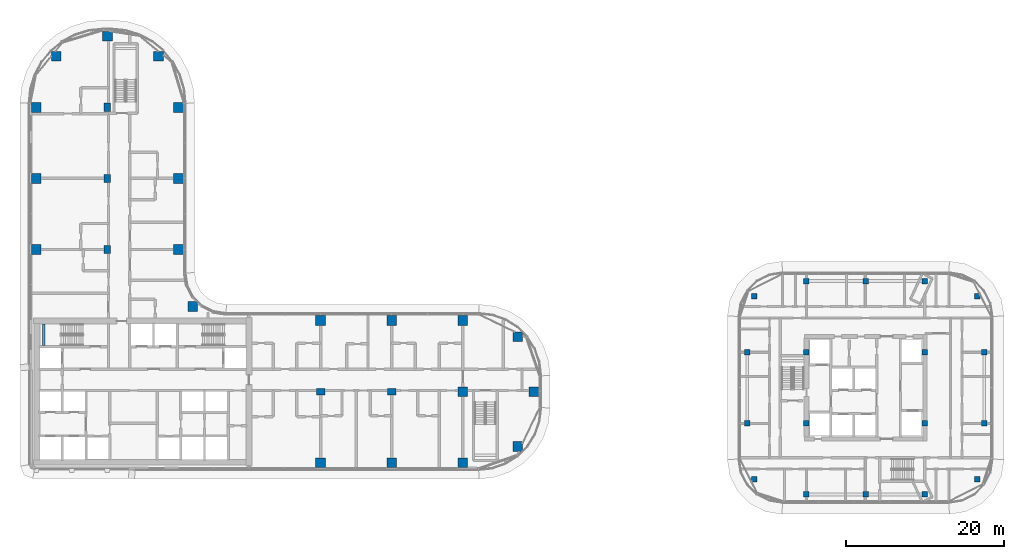
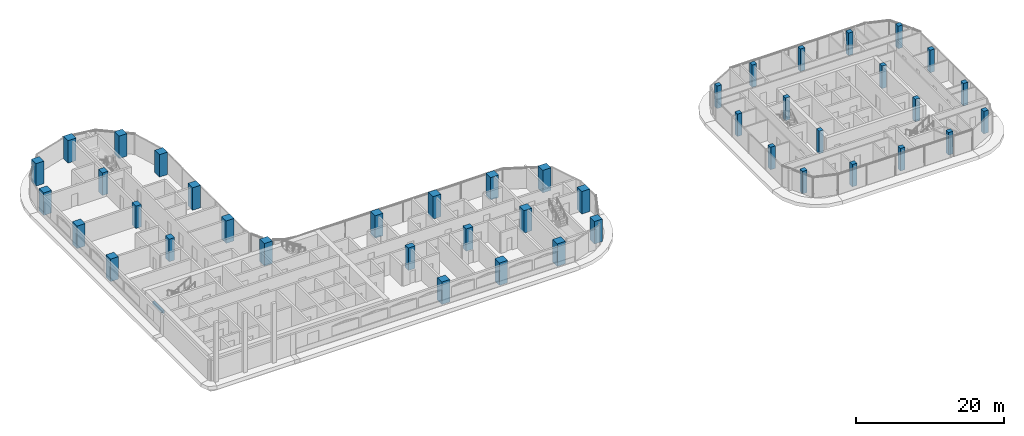
# One storey, part 1 of 40: 43 columns, 1 beam.
"""IFC4 building model written with IfcOpenShell, lengths in metres."""

from ifc_helpers import new_model, si_unit, direction, frame, origin, origin_2d, place, context, subcontext, project, spatial, rectangle, extrude, material, material_profile, profile_set, type_object, element, save


model = new_model("IFC4")

# Units and contexts
model_context = context("Model", 3, precision=1e-05, world=origin(), true_north=direction((0.0, 1.0)))
body_context = subcontext(model_context, "Body", "Model", "MODEL_VIEW")
ifc_project = project(units=[si_unit("LENGTHUNIT", "METRE"), si_unit("AREAUNIT", "SQUARE_METRE"), si_unit("VOLUMEUNIT", "CUBIC_METRE"), si_unit("PLANEANGLEUNIT", "RADIAN"), si_unit("MASSUNIT", "GRAM", prefix="KILO")], contexts=[model_context])

# Site, building, storey
site_placement = place(None, origin())
site = spatial("IfcSite", under=ifc_project, at=site_placement, CompositionType="ELEMENT")
building_placement = place(site_placement, origin())
building = spatial("IfcBuilding", under=site, at=building_placement, Name="Ogive Portal Towers", CompositionType="ELEMENT")
storey_placement = place(building_placement, frame((0.0, 0.0, 87.10009765625)))
storey = spatial("IfcBuildingStorey", under=building, at=storey_placement, Name="L20", CompositionType="ELEMENT", Elevation=87.10009765625)

# Columns
ifc_material_1 = material(Name="Concrete C60/75", Category="concrete")
ifc_material_profile_1 = material_profile(ifc_material_1, rectangle(XDim=1.050048828125, YDim=0.85009765625, at=origin_2d()), Name="RC 1050x850")
ifc_profile_set_1 = profile_set([ifc_material_profile_1], Name="Concrete C60/75")
column_type_1 = type_object("IfcColumnType", Name="COLUMN RC 1050x850", PredefinedType="COLUMN", material=ifc_profile_set_1)
for number, where, z_axis, x_axis, name in (
    (1, (67.5, 30.5, 0.0), (0.0, 0.0, 1.0), (1.0, 0.0, 0.0), "Column 5/B L20"),
    (2, (76.5, 30.5, 0.0), (0.0, 0.0, 1.0), (1.0, 0.0, 0.0), "Column 6/B L20"),
    (3, (40.5, 48.5, 0.0), (0.0, 0.0, 1.0), (0.0, 1.0, 0.0), "Column 2/D L20"),
    (4, (40.5, 57.5, 0.0), (0.0, 0.0, 1.0), (0.0, 1.0, 0.0), "Column 2/E L20"),
    (5, (40.5, 66.5, 0.0), (0.0, 0.0, 1.0), (0.0, 1.0, 0.0), "Column 2/F L20"),
):
    element("IfcColumn", number, at=place(storey_placement, frame(where, z_axis=z_axis, x_axis=x_axis)), inside=storey, type_object=column_type_1, Name=name, PredefinedType="COLUMN", context=body_context, shape_type="SweptSolid", body=[
        extrude(rectangle(XDim=1.050048828125, YDim=0.85009765625, at=origin_2d()), origin(), (0.0, 0.0, 1.0), 3.699951171875),
    ])
ifc_material_profile_2 = material_profile(ifc_material_1, rectangle(XDim=1.25, YDim=1.25, at=origin_2d()), Name="RC 1250x1250")
ifc_profile_set_2 = profile_set([ifc_material_profile_2], Name="Concrete C60/75")
column_type_2 = type_object("IfcColumnType", Name="COLUMN RC 1250x1250", PredefinedType="COLUMN", material=ifc_profile_set_2)
for number, where, z_axis, x_axis, name in (
    (6, (67.5, 21.5, 0.0), (0.0, 0.0, 1.0), (1.0, 0.0, 0.0), "Column 5/A L20"),
    (7, (76.5, 21.5, 0.0), (0.0, 0.0, 1.0), (1.0, 0.0, 0.0), "Column 6/A L20"),
    (8, (85.5, 21.5, 0.0), (0.0, 0.0, 1.0), (1.0, 0.0, 0.0), "Column 7/A L20"),
    (9, (92.449951171875, 23.550048828125, 0.0), (0.0, 0.0, 1.0), (1.0, 0.0, 0.0), "Column L20"),
    (10, (85.5, 30.5, 0.0), (0.0, 0.0, 1.0), (1.0, 0.0, 0.0), "Column 7/B L20"),
    (11, (94.5, 30.5, 0.0), (0.0, 0.0, 1.0), (1.0, 0.0, 0.0), "Column 8/B L20"),
    (12, (92.449951171875, 37.449951171875, 0.0), (0.0, 0.0, 1.0), (1.0, 0.0, 0.0), "Column L20"),
    (13, (67.5, 39.5, 0.0), (0.0, 0.0, 1.0), (1.0, 0.0, 0.0), "Column 5/C L20"),
    (14, (76.5, 39.5, 0.0), (0.0, 0.0, 1.0), (1.0, 0.0, 0.0), "Column 6/C L20"),
    (15, (85.5, 39.5, 0.0), (0.0, 0.0, 1.0), (1.0, 0.0, 0.0), "Column 7/C L20"),
    (16, (51.31005859375, 41.31005859375, 0.0), (0.0, 0.0, 1.0), (1.0, 0.0, 0.0), "Column L20"),
    (17, (31.5, 48.5, 0.0), (0.0, 0.0, 1.0), (1.0, 0.0, 0.0), "Column 1/D L20"),
    (18, (49.5, 48.5, 0.0), (0.0, 0.0, 1.0), (1.0, 0.0, 0.0), "Column 3/D L20"),
    (19, (31.5, 57.5, 0.0), (0.0, 0.0, 1.0), (1.0, 0.0, 0.0), "Column 1/E L20"),
    (20, (49.5, 57.5, 0.0), (0.0, 0.0, 1.0), (1.0, 0.0, 0.0), "Column 3/E L20"),
    (21, (31.5, 66.5, 0.0), (0.0, 0.0, 1.0), (1.0, 0.0, 0.0), "Column 1/F L20"),
    (22, (49.5, 66.5, 0.0), (0.0, 0.0, 1.0), (1.0, 0.0, 0.0), "Column 3/F L20"),
    (23, (34.027099609375, 72.972900390625, 0.0), (0.0, 0.0, 1.0), (1.0, 0.0, 0.0), "Column L20"),
    (24, (46.972900390625, 72.972900390625, 0.0), (0.0, 0.0, 1.0), (1.0, 0.0, 0.0), "Column L20"),
    (25, (40.5, 75.5, 0.0), (0.0, 0.0, 1.0), (1.0, 0.0, 0.0), "Column 2/G L20"),
):
    element("IfcColumn", number, at=place(storey_placement, frame(where, z_axis=z_axis, x_axis=x_axis)), inside=storey, type_object=column_type_2, Name=name, PredefinedType="COLUMN", context=body_context, shape_type="SweptSolid", body=[
        extrude(rectangle(XDim=1.25, YDim=1.25, at=origin_2d()), origin(), (0.0, 0.0, 1.0), 3.699951171875),
    ])
ifc_material_2 = material(Name="Concrete C50/60", Category="concrete")
ifc_material_profile_3 = material_profile(ifc_material_2, rectangle(XDim=0.699951171875, YDim=0.699951171875, at=origin_2d()), Name="RC 700x700")
ifc_profile_set_3 = profile_set([ifc_material_profile_3], Name="Concrete C50/60")
column_type_3 = type_object("IfcColumnType", Name="COLUMN RC 700x700", PredefinedType="COLUMN", material=ifc_profile_set_3)
for number, where, z_axis, x_axis, name in (
    (26, (129.0, 17.5, 0.0), (0.0, 0.0, 1.0), (1.0, 0.0, 0.0), "Column 12/H L20"),
    (27, (136.5, 17.5, 0.0), (0.0, 0.0, 1.0), (1.0, 0.0, 0.0), "Column 13/H L20"),
    (28, (144.0, 17.5, 0.0), (0.0, 0.0, 1.0), (1.0, 0.0, 0.0), "Column 14/H L20"),
    (29, (122.40087890625, 19.44189453125, 0.0), (0.0, 0.0, 1.0), (1.0, 0.0, 0.0), "Column L20"),
    (30, (150.59912109375, 19.44189453125, 0.0), (0.0, 0.0, 1.0), (1.0, 0.0, 0.0), "Column L20"),
    (31, (121.5, 26.5, 0.0), (0.0, 0.0, 1.0), (1.0, 0.0, 0.0), "Column 11/J L20"),
    (32, (129.0, 26.5, 0.0), (0.0, 0.0, 1.0), (1.0, 0.0, 0.0), "Column 12/J L20"),
    (33, (144.0, 26.5, 0.0), (0.0, 0.0, 1.0), (1.0, 0.0, 0.0), "Column 14/J L20"),
    (34, (151.5, 26.5, 0.0), (0.0, 0.0, 1.0), (1.0, 0.0, 0.0), "Column 15/J L20"),
    (35, (121.5, 35.5, 0.0), (0.0, 0.0, 1.0), (1.0, 0.0, 0.0), "Column 11/K L20"),
    (36, (129.0, 35.5, 0.0), (0.0, 0.0, 1.0), (1.0, 0.0, 0.0), "Column 12/K L20"),
    (37, (144.0, 35.5, 0.0), (0.0, 0.0, 1.0), (1.0, 0.0, 0.0), "Column 14/K L20"),
    (38, (151.5, 35.5, 0.0), (0.0, 0.0, 1.0), (1.0, 0.0, 0.0), "Column 15/K L20"),
    (39, (122.40087890625, 42.55810546875, 0.0), (0.0, 0.0, 1.0), (1.0, 0.0, 0.0), "Column L20"),
    (40, (150.59912109375, 42.55810546875, 0.0), (0.0, 0.0, 1.0), (1.0, 0.0, 0.0), "Column L20"),
    (41, (129.0, 44.5, 0.0), (0.0, 0.0, 1.0), (1.0, 0.0, 0.0), "Column 12/L L20"),
    (42, (136.5, 44.5, 0.0), (0.0, 0.0, 1.0), (1.0, 0.0, 0.0), "Column 13/L L20"),
    (43, (144.0, 44.5, 0.0), (0.0, 0.0, 1.0), (1.0, 0.0, 0.0), "Column 14/L L20"),
):
    element("IfcColumn", number, at=place(storey_placement, frame(where, z_axis=z_axis, x_axis=x_axis)), inside=storey, type_object=column_type_3, Name=name, PredefinedType="COLUMN", context=body_context, shape_type="SweptSolid", body=[
        extrude(rectangle(XDim=0.699951171875, YDim=0.699951171875, at=origin_2d()), origin(), (0.0, 0.0, 1.0), 3.699951171875),
    ])

# Beam
ifc_material_3 = material(Name="Concrete C40/50", Category="concrete")
ifc_material_profile_4 = material_profile(ifc_material_3, rectangle(XDim=0.300048828125, YDim=0.39990234375, at=origin_2d()), Name="RC 300x400")
ifc_profile_set_4 = profile_set([ifc_material_profile_4], Name="Concrete C40/50")
beam_type = type_object("IfcBeamType", Name="BEAM RC 300x400", PredefinedType="BEAM", material=ifc_profile_set_4)
beam_placement = place(storey_placement, frame((32.449951171875, 36.35009765625, 1.449951171875), z_axis=(0.0, 1.0, 0.0), x_axis=(-1.0, 0.0, 0.0)))
element("IfcBeam", 44, at=beam_placement, inside=storey, type_object=beam_type, Name="Landing beam L20", PredefinedType="BEAM", context=body_context, shape_type="SweptSolid", body=[
    extrude(rectangle(XDim=0.300048828125, YDim=0.39990234375, at=origin_2d()), origin(), (0.0, 0.0, 1.0), 2.699951171875),
])

save(model, "model.ifc")
